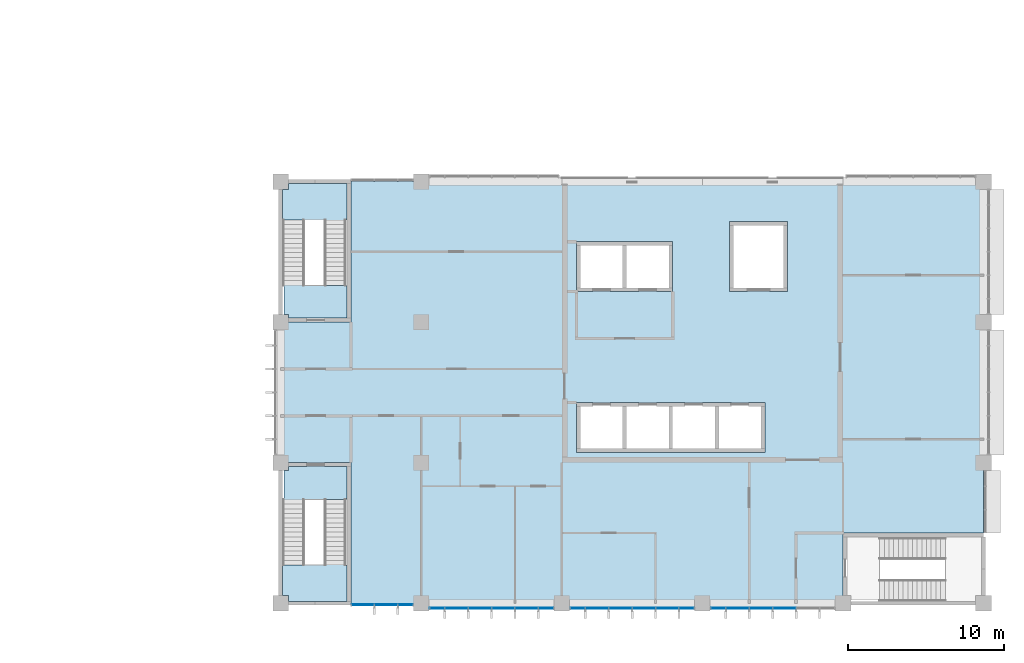
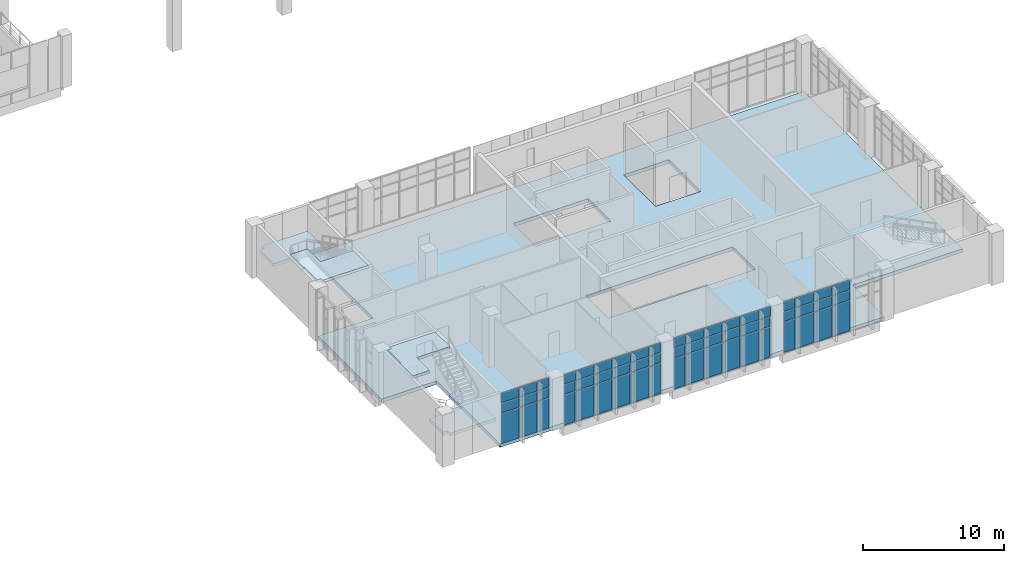
# One storey, part 51 of 88: 57 plates, 5 slabs, 6 elements without a shape of their own.
"""IFC4 building model written with IfcOpenShell, lengths in metres."""

from ifc_helpers import new_model, si_unit, direction, frame, origin, origin_2d, place, context, subcontext, project, spatial, polyline, rectangle, outline, extrude, material, layer, layer_set, type_object, element, aggregate, save


model = new_model("IFC4")

# Units and contexts
model_context = context("Model", 3, precision=1e-05, world=origin(), true_north=direction((0.0, 1.0)))
body_context = subcontext(model_context, "Body", "Model", "MODEL_VIEW")
ifc_project = project(units=[si_unit("LENGTHUNIT", "METRE"), si_unit("AREAUNIT", "SQUARE_METRE"), si_unit("VOLUMEUNIT", "CUBIC_METRE"), si_unit("PLANEANGLEUNIT", "RADIAN"), si_unit("MASSUNIT", "GRAM", prefix="KILO")], contexts=[model_context])

# Site, building, storey
site_placement = place(None, origin())
site = spatial("IfcSite", under=ifc_project, at=site_placement, CompositionType="ELEMENT")
building_placement = place(site_placement, origin())
building = spatial("IfcBuilding", under=site, at=building_placement, Name="Guidao Yard Department Store", CompositionType="ELEMENT")
storey_placement = place(building_placement, frame((0.0, 0.0, 6.0)))
storey = spatial("IfcBuildingStorey", under=building, at=storey_placement, Name="L01", CompositionType="ELEMENT", Elevation=6.0)

# Slab
ifc_material_1 = material(Name="Concrete C35", Category="concrete")
ifc_layer_1 = layer(ifc_material_1, 0.300048828125)
ifc_layer_set_1 = layer_set([ifc_layer_1], Name="Flat slab 300 C35")
slab_type_1 = type_object("IfcSlabType", Name="Flat slab 300 C35", PredefinedType="FLOOR", material=ifc_layer_set_1)
slab_1_placement = place(storey_placement, frame((0.0, 0.0, -0.300048828125)))
element("IfcSlab", 1, at=slab_1_placement, inside=storey, type_object=slab_type_1, Name="Slab L01-O", PredefinedType="FLOOR", context=body_context, shape_type="SweptSolid", body=[
    extrude(outline(polyline([(171.0, 4.5), (162.0, 4.5), (162.0, 0.0), (130.5, 0.0), (130.5, 9.0), (126.0, 9.0), (126.0, 18.0), (130.5, 18.0), (130.5, 27.0), (171.0, 27.0), (171.0, 4.5)]), holes=[polyline([(147.89990234375, 9.64990234375), (148.14990234375, 9.64990234375), (150.85009765625, 9.64990234375), (151.10009765625, 9.64990234375), (153.800048828125, 9.64990234375), (154.050048828125, 9.64990234375), (157.0, 9.64990234375), (157.0, 12.85009765625), (154.050048828125, 12.85009765625), (153.800048828125, 12.85009765625), (151.10009765625, 12.85009765625), (150.85009765625, 12.85009765625), (148.14990234375, 12.85009765625), (147.89990234375, 12.85009765625), (144.949951171875, 12.85009765625), (144.949951171875, 9.64990234375), (147.89990234375, 9.64990234375)]), polyline([(144.949951171875, 19.949951171875), (147.89990234375, 19.949951171875), (148.14990234375, 19.949951171875), (151.10009765625, 19.949951171875), (151.10009765625, 23.14990234375), (148.14990234375, 23.14990234375), (147.89990234375, 23.14990234375), (144.949951171875, 23.14990234375), (144.949951171875, 19.949951171875)]), polyline([(154.75, 19.949951171875), (158.449951171875, 19.949951171875), (158.449951171875, 24.449951171875), (154.75, 24.449951171875), (154.75, 19.949951171875)])]), origin(), (0.0, 0.0, 1.0), 0.300048828125),
])

# Curtain wall, plates
ifc_material_2 = material(Name="Aluminium and glass", Category="aluminium")
ifc_layer_2 = layer(ifc_material_2, 0.159912109375)
ifc_layer_set_2 = layer_set([ifc_layer_2], Name="Unitised curtain wall CW4 1500 module")
curtain_wall_type = type_object("IfcCurtainWallType", Name="Unitised curtain wall CW4 1500 module", PredefinedType="NOTDEFINED", material=ifc_layer_set_2)
curtain_wall_1_placement = place(storey_placement, origin())
curtain_wall_1 = element("IfcCurtainWall", 2, at=curtain_wall_1_placement, inside=storey, type_object=curtain_wall_type, Name="Unitised curtain wall", PredefinedType="NOTDEFINED")
ifc_material_3 = material(Name="Aluminium 6063-T5 faced insulated spandrel", Category="aluminium")
ifc_layer_3 = layer(ifc_material_3, 0.06005859375)
ifc_layer_set_3 = layer_set([ifc_layer_3], Name="Spandrel panel SP1 insulated opaque")
plate_type_1 = type_object("IfcPlateType", Name="Spandrel panel SP1 insulated opaque", PredefinedType="CURTAIN_PANEL", material=ifc_layer_set_3)
plate_1_placement = place(storey_placement, frame((131.264892578125, -0.10009765625, 3.6298828125), z_axis=(0.0, 0.0, 1.0), x_axis=(-1.0, 0.0, 0.0)))
plate_1 = element("IfcPlate", 3, at=plate_1_placement, type_object=plate_type_1, Name="CW-OW-L01-01 panel 1.3", PredefinedType="CURTAIN_PANEL", context=body_context, shape_type="SweptSolid", body=[
    extrude(rectangle(XDim=1.409912109375, YDim=0.06005859375, at=origin_2d()), origin(), (0.0, 0.0, 1.0), 0.81005859375),
])
plate_2_placement = place(storey_placement, frame((132.75, -0.10009765625, 3.6298828125), z_axis=(0.0, 0.0, 1.0), x_axis=(-1.0, 0.0, 0.0)))
plate_2 = element("IfcPlate", 4, at=plate_2_placement, type_object=plate_type_1, Name="CW-OW-L01-01 panel 2.3", PredefinedType="CURTAIN_PANEL", context=body_context, shape_type="SweptSolid", body=[
    extrude(rectangle(XDim=1.43994140625, YDim=0.06005859375, at=origin_2d()), origin(), (0.0, 0.0, 1.0), 0.81005859375),
])
plate_3_placement = place(storey_placement, frame((133.985107421875, -0.10009765625, 3.6298828125), z_axis=(0.0, 0.0, 1.0), x_axis=(-1.0, 0.0, 0.0)))
plate_3 = element("IfcPlate", 5, at=plate_3_placement, type_object=plate_type_1, Name="CW-OW-L01-01 panel 3.3", PredefinedType="CURTAIN_PANEL", context=body_context, shape_type="SweptSolid", body=[
    extrude(rectangle(XDim=0.909912109375, YDim=0.06005859375, at=origin_2d()), origin(), (0.0, 0.0, 1.0), 0.81005859375),
])

curtain_wall_2_placement = place(storey_placement, origin())
curtain_wall_2 = element("IfcCurtainWall", 6, at=curtain_wall_2_placement, inside=storey, type_object=curtain_wall_type, Name="Unitised curtain wall", PredefinedType="NOTDEFINED")
plate_4_placement = place(storey_placement, frame((136.014892578125, -0.330078125, 3.6298828125), z_axis=(0.0, 0.0, 1.0), x_axis=(-1.0, 0.0, 0.0)))
plate_4 = element("IfcPlate", 7, at=plate_4_placement, type_object=plate_type_1, Name="CW-OW-L01-02 panel 1.3", PredefinedType="CURTAIN_PANEL", context=body_context, shape_type="SweptSolid", body=[
    extrude(rectangle(XDim=0.909912109375, YDim=0.06005859375, at=origin_2d()), origin(), (0.0, 0.0, 1.0), 0.81005859375),
])
plate_5_placement = place(storey_placement, frame((137.25, -0.330078125, 3.6298828125), z_axis=(0.0, 0.0, 1.0), x_axis=(-1.0, 0.0, 0.0)))
plate_5 = element("IfcPlate", 8, at=plate_5_placement, type_object=plate_type_1, Name="CW-OW-L01-02 panel 2.3", PredefinedType="CURTAIN_PANEL", context=body_context, shape_type="SweptSolid", body=[
    extrude(rectangle(XDim=1.43994140625, YDim=0.06005859375, at=origin_2d()), origin(), (0.0, 0.0, 1.0), 0.81005859375),
])
plate_6_placement = place(storey_placement, frame((138.75, -0.330078125, 3.6298828125), z_axis=(0.0, 0.0, 1.0), x_axis=(-1.0, 0.0, 0.0)))
plate_6 = element("IfcPlate", 9, at=plate_6_placement, type_object=plate_type_1, Name="CW-OW-L01-02 panel 3.3", PredefinedType="CURTAIN_PANEL", context=body_context, shape_type="SweptSolid", body=[
    extrude(rectangle(XDim=1.43994140625, YDim=0.06005859375, at=origin_2d()), origin(), (0.0, 0.0, 1.0), 0.81005859375),
])
plate_7_placement = place(storey_placement, frame((140.25, -0.330078125, 3.6298828125), z_axis=(0.0, 0.0, 1.0), x_axis=(-1.0, 0.0, 0.0)))
plate_7 = element("IfcPlate", 10, at=plate_7_placement, type_object=plate_type_1, Name="CW-OW-L01-02 panel 4.3", PredefinedType="CURTAIN_PANEL", context=body_context, shape_type="SweptSolid", body=[
    extrude(rectangle(XDim=1.43994140625, YDim=0.06005859375, at=origin_2d()), origin(), (0.0, 0.0, 1.0), 0.81005859375),
])
plate_8_placement = place(storey_placement, frame((141.75, -0.330078125, 3.6298828125), z_axis=(0.0, 0.0, 1.0), x_axis=(-1.0, 0.0, 0.0)))
plate_8 = element("IfcPlate", 11, at=plate_8_placement, type_object=plate_type_1, Name="CW-OW-L01-02 panel 5.3", PredefinedType="CURTAIN_PANEL", context=body_context, shape_type="SweptSolid", body=[
    extrude(rectangle(XDim=1.43994140625, YDim=0.06005859375, at=origin_2d()), origin(), (0.0, 0.0, 1.0), 0.81005859375),
])
plate_9_placement = place(storey_placement, frame((142.985107421875, -0.330078125, 3.6298828125), z_axis=(0.0, 0.0, 1.0), x_axis=(-1.0, 0.0, 0.0)))
plate_9 = element("IfcPlate", 12, at=plate_9_placement, type_object=plate_type_1, Name="CW-OW-L01-02 panel 6.3", PredefinedType="CURTAIN_PANEL", context=body_context, shape_type="SweptSolid", body=[
    extrude(rectangle(XDim=0.909912109375, YDim=0.06005859375, at=origin_2d()), origin(), (0.0, 0.0, 1.0), 0.81005859375),
])

curtain_wall_3_placement = place(storey_placement, origin())
curtain_wall_3 = element("IfcCurtainWall", 13, at=curtain_wall_3_placement, inside=storey, type_object=curtain_wall_type, Name="Unitised curtain wall", PredefinedType="NOTDEFINED")
plate_10_placement = place(storey_placement, frame((145.014892578125, -0.330078125, 3.6298828125), z_axis=(0.0, 0.0, 1.0), x_axis=(-1.0, 0.0, 0.0)))
plate_10 = element("IfcPlate", 14, at=plate_10_placement, type_object=plate_type_1, Name="CW-OW-L01-03 panel 1.3", PredefinedType="CURTAIN_PANEL", context=body_context, shape_type="SweptSolid", body=[
    extrude(rectangle(XDim=0.909912109375, YDim=0.06005859375, at=origin_2d()), origin(), (0.0, 0.0, 1.0), 0.81005859375),
])
plate_11_placement = place(storey_placement, frame((146.25, -0.330078125, 3.6298828125), z_axis=(0.0, 0.0, 1.0), x_axis=(-1.0, 0.0, 0.0)))
plate_11 = element("IfcPlate", 15, at=plate_11_placement, type_object=plate_type_1, Name="CW-OW-L01-03 panel 2.3", PredefinedType="CURTAIN_PANEL", context=body_context, shape_type="SweptSolid", body=[
    extrude(rectangle(XDim=1.43994140625, YDim=0.06005859375, at=origin_2d()), origin(), (0.0, 0.0, 1.0), 0.81005859375),
])
plate_12_placement = place(storey_placement, frame((147.75, -0.330078125, 3.6298828125), z_axis=(0.0, 0.0, 1.0), x_axis=(-1.0, 0.0, 0.0)))
plate_12 = element("IfcPlate", 16, at=plate_12_placement, type_object=plate_type_1, Name="CW-OW-L01-03 panel 3.3", PredefinedType="CURTAIN_PANEL", context=body_context, shape_type="SweptSolid", body=[
    extrude(rectangle(XDim=1.43994140625, YDim=0.06005859375, at=origin_2d()), origin(), (0.0, 0.0, 1.0), 0.81005859375),
])
plate_13_placement = place(storey_placement, frame((149.25, -0.330078125, 3.6298828125), z_axis=(0.0, 0.0, 1.0), x_axis=(-1.0, 0.0, 0.0)))
plate_13 = element("IfcPlate", 17, at=plate_13_placement, type_object=plate_type_1, Name="CW-OW-L01-03 panel 4.3", PredefinedType="CURTAIN_PANEL", context=body_context, shape_type="SweptSolid", body=[
    extrude(rectangle(XDim=1.43994140625, YDim=0.06005859375, at=origin_2d()), origin(), (0.0, 0.0, 1.0), 0.81005859375),
])
plate_14_placement = place(storey_placement, frame((150.75, -0.330078125, 3.6298828125), z_axis=(0.0, 0.0, 1.0), x_axis=(-1.0, 0.0, 0.0)))
plate_14 = element("IfcPlate", 18, at=plate_14_placement, type_object=plate_type_1, Name="CW-OW-L01-03 panel 5.3", PredefinedType="CURTAIN_PANEL", context=body_context, shape_type="SweptSolid", body=[
    extrude(rectangle(XDim=1.43994140625, YDim=0.06005859375, at=origin_2d()), origin(), (0.0, 0.0, 1.0), 0.81005859375),
])
plate_15_placement = place(storey_placement, frame((151.985107421875, -0.330078125, 3.6298828125), z_axis=(0.0, 0.0, 1.0), x_axis=(-1.0, 0.0, 0.0)))
plate_15 = element("IfcPlate", 19, at=plate_15_placement, type_object=plate_type_1, Name="CW-OW-L01-03 panel 6.3", PredefinedType="CURTAIN_PANEL", context=body_context, shape_type="SweptSolid", body=[
    extrude(rectangle(XDim=0.909912109375, YDim=0.06005859375, at=origin_2d()), origin(), (0.0, 0.0, 1.0), 0.81005859375),
])

curtain_wall_4_placement = place(storey_placement, origin())
curtain_wall_4 = element("IfcCurtainWall", 20, at=curtain_wall_4_placement, inside=storey, type_object=curtain_wall_type, Name="Unitised curtain wall", PredefinedType="NOTDEFINED")
plate_16_placement = place(storey_placement, frame((154.014892578125, -0.330078125, 3.6298828125), z_axis=(0.0, 0.0, 1.0), x_axis=(-1.0, 0.0, 0.0)))
plate_16 = element("IfcPlate", 21, at=plate_16_placement, type_object=plate_type_1, Name="CW-OW-L01-04 panel 1.3", PredefinedType="CURTAIN_PANEL", context=body_context, shape_type="SweptSolid", body=[
    extrude(rectangle(XDim=0.909912109375, YDim=0.06005859375, at=origin_2d()), origin(), (0.0, 0.0, 1.0), 0.81005859375),
])
plate_17_placement = place(storey_placement, frame((155.25, -0.330078125, 3.6298828125), z_axis=(0.0, 0.0, 1.0), x_axis=(-1.0, 0.0, 0.0)))
plate_17 = element("IfcPlate", 22, at=plate_17_placement, type_object=plate_type_1, Name="CW-OW-L01-04 panel 2.3", PredefinedType="CURTAIN_PANEL", context=body_context, shape_type="SweptSolid", body=[
    extrude(rectangle(XDim=1.43994140625, YDim=0.06005859375, at=origin_2d()), origin(), (0.0, 0.0, 1.0), 0.81005859375),
])
plate_18_placement = place(storey_placement, frame((156.75, -0.330078125, 3.6298828125), z_axis=(0.0, 0.0, 1.0), x_axis=(-1.0, 0.0, 0.0)))
plate_18 = element("IfcPlate", 23, at=plate_18_placement, type_object=plate_type_1, Name="CW-OW-L01-04 panel 3.3", PredefinedType="CURTAIN_PANEL", context=body_context, shape_type="SweptSolid", body=[
    extrude(rectangle(XDim=1.43994140625, YDim=0.06005859375, at=origin_2d()), origin(), (0.0, 0.0, 1.0), 0.81005859375),
])
plate_19_placement = place(storey_placement, frame((158.25, -0.330078125, 3.6298828125), z_axis=(0.0, 0.0, 1.0), x_axis=(-1.0, 0.0, 0.0)))
plate_19 = element("IfcPlate", 24, at=plate_19_placement, type_object=plate_type_1, Name="CW-OW-L01-04 panel 4.3", PredefinedType="CURTAIN_PANEL", context=body_context, shape_type="SweptSolid", body=[
    extrude(rectangle(XDim=1.43994140625, YDim=0.06005859375, at=origin_2d()), origin(), (0.0, 0.0, 1.0), 0.81005859375),
])

# Stair, slabs
ifc_material_4 = material(Name="Concrete C35", Category="concrete")
stair_type = type_object("IfcStairType", Name="Stair half-turn two-flight 1400 wide 4.5 m rise", PredefinedType="HALF_TURN_STAIR", material=ifc_material_4)
stair_1_placement = place(storey_placement, origin())
stair_1 = element("IfcStair", 25, at=stair_1_placement, inside=storey, type_object=stair_type, Name="Stair O1 L01 to L02", PredefinedType="HALF_TURN_STAIR")
ifc_material_5 = material(Name="Concrete C35", Category="concrete")
ifc_layer_4 = layer(ifc_material_5, 0.25)
ifc_layer_set_4 = layer_set([ifc_layer_4], Name="Stair landing RC 250 C35")
slab_type_2 = type_object("IfcSlabType", Name="Stair landing RC 250 C35", PredefinedType="LANDING", material=ifc_layer_set_4)
slab_2_placement = place(storey_placement, frame((0.0, 0.0, 2.0)))
slab_2 = element("IfcSlab", 26, at=slab_2_placement, type_object=slab_type_2, Name="SO1-L01 landing 1", PredefinedType="LANDING", context=body_context, shape_type="SweptSolid", body=[
    extrude(outline(polyline([(126.5, 0.125), (126.5, 0.5), (126.125, 0.5), (126.125, 2.449951171875), (126.125, 2.4599609375), (127.52490234375, 2.4599609375), (127.52490234375, 2.449951171875), (128.800048828125, 2.449951171875), (128.800048828125, 4.280029296875), (130.199951171875, 4.280029296875), (130.199951171875, 2.449951171875), (130.25, 2.449951171875), (130.25, 0.125), (126.5, 0.125)])), origin(), (0.0, 0.0, 1.0), 0.25),
])
slab_3_placement = place(storey_placement, frame((0.0, 0.0, 4.25)))
slab_3 = element("IfcSlab", 27, at=slab_3_placement, type_object=slab_type_2, Name="SO1-L01 landing 2", PredefinedType="LANDING", context=body_context, shape_type="SweptSolid", body=[
    extrude(outline(polyline([(126.125, 6.64990234375), (126.199951171875, 6.64990234375), (126.199951171875, 8.5), (126.5, 8.5), (126.5, 8.75), (128.800048828125, 8.75), (130.25, 8.75), (130.25, 6.639892578125), (128.800048828125, 6.639892578125), (128.800048828125, 6.64990234375), (127.52490234375, 6.64990234375), (127.52490234375, 4.820068359375), (126.125, 4.820068359375), (126.125, 6.64990234375)])), origin(), (0.0, 0.0, 1.0), 0.25),
])
aggregate(stair_1, [slab_2, slab_3])

stair_2_placement = place(storey_placement, origin())
stair_2 = element("IfcStair", 28, at=stair_2_placement, inside=storey, type_object=stair_type, Name="Stair O3 L01 to L02", PredefinedType="HALF_TURN_STAIR")
slab_4_placement = place(storey_placement, frame((0.0, 0.0, 2.0)))
slab_4 = element("IfcSlab", 29, at=slab_4_placement, type_object=slab_type_2, Name="SO3-L01 landing 1", PredefinedType="LANDING", context=body_context, shape_type="SweptSolid", body=[
    extrude(outline(polyline([(128.800048828125, 24.550048828125), (127.52490234375, 24.550048828125), (127.52490234375, 24.5400390625), (126.125, 24.5400390625), (126.125, 24.550048828125), (126.125, 26.5), (126.5, 26.5), (126.5, 26.875), (130.25, 26.875), (130.25, 24.550048828125), (130.199951171875, 24.550048828125), (130.199951171875, 22.719970703125), (128.800048828125, 22.719970703125), (128.800048828125, 24.550048828125)])), origin(), (0.0, 0.0, 1.0), 0.25),
])
slab_5_placement = place(storey_placement, frame((0.0, 0.0, 4.25)))
slab_5 = element("IfcSlab", 30, at=slab_5_placement, type_object=slab_type_2, Name="SO3-L01 landing 2", PredefinedType="LANDING", context=body_context, shape_type="SweptSolid", body=[
    extrude(outline(polyline([(130.25, 20.360107421875), (130.25, 18.25), (128.800048828125, 18.25), (126.5, 18.25), (126.5, 18.5), (126.199951171875, 18.5), (126.199951171875, 20.35009765625), (126.125, 20.35009765625), (126.125, 22.179931640625), (127.52490234375, 22.179931640625), (127.52490234375, 20.35009765625), (128.800048828125, 20.35009765625), (128.800048828125, 20.360107421875), (130.25, 20.360107421875)])), origin(), (0.0, 0.0, 1.0), 0.25),
])
aggregate(stair_2, [slab_4, slab_5])

# Plate
ifc_material_6 = material(Name="Laminated heat-soaked tempered glass", Category="glass")
ifc_layer_5 = layer(ifc_material_6, 0.017578125)
ifc_layer_set_5 = layer_set([ifc_layer_5], Name="Vision glass VG1 laminated heat-soaked tempered 8+8")
plate_type_2 = type_object("IfcPlateType", Name="Vision glass VG1 laminated heat-soaked tempered 8+8", PredefinedType="CURTAIN_PANEL", material=ifc_layer_set_5)
plate_20_placement = place(storey_placement, frame((131.264892578125, -0.10009765625, 0.06005859375), z_axis=(0.0, 0.0, 1.0), x_axis=(-1.0, 0.0, 0.0)))
plate_20 = element("IfcPlate", 31, at=plate_20_placement, type_object=plate_type_2, Name="CW-OW-L01-01 panel 1.1", PredefinedType="CURTAIN_PANEL", context=body_context, shape_type="SweptSolid", body=[
    extrude(rectangle(XDim=1.409912109375, YDim=0.017578125, at=origin_2d()), origin(), (0.0, 0.0, 1.0), 2.610107421875),
])

plate_21_placement = place(storey_placement, frame((131.264892578125, -0.10009765625, 2.72998046875), z_axis=(0.0, 0.0, 1.0), x_axis=(-1.0, 0.0, 0.0)))
plate_21 = element("IfcPlate", 32, at=plate_21_placement, type_object=plate_type_2, Name="CW-OW-L01-01 panel 1.2", PredefinedType="CURTAIN_PANEL", context=body_context, shape_type="SweptSolid", body=[
    extrude(rectangle(XDim=1.409912109375, YDim=0.017578125, at=origin_2d()), origin(), (0.0, 0.0, 1.0), 0.840087890625),
])

plate_22_placement = place(storey_placement, frame((132.75, -0.10009765625, 0.06005859375), z_axis=(0.0, 0.0, 1.0), x_axis=(-1.0, 0.0, 0.0)))
plate_22 = element("IfcPlate", 33, at=plate_22_placement, type_object=plate_type_2, Name="CW-OW-L01-01 panel 2.1", PredefinedType="CURTAIN_PANEL", context=body_context, shape_type="SweptSolid", body=[
    extrude(rectangle(XDim=1.43994140625, YDim=0.017578125, at=origin_2d()), origin(), (0.0, 0.0, 1.0), 2.610107421875),
])

plate_23_placement = place(storey_placement, frame((132.75, -0.10009765625, 2.72998046875), z_axis=(0.0, 0.0, 1.0), x_axis=(-1.0, 0.0, 0.0)))
plate_23 = element("IfcPlate", 34, at=plate_23_placement, type_object=plate_type_2, Name="CW-OW-L01-01 panel 2.2", PredefinedType="CURTAIN_PANEL", context=body_context, shape_type="SweptSolid", body=[
    extrude(rectangle(XDim=1.43994140625, YDim=0.017578125, at=origin_2d()), origin(), (0.0, 0.0, 1.0), 0.840087890625),
])

plate_24_placement = place(storey_placement, frame((133.985107421875, -0.10009765625, 0.06005859375), z_axis=(0.0, 0.0, 1.0), x_axis=(-1.0, 0.0, 0.0)))
plate_24 = element("IfcPlate", 35, at=plate_24_placement, type_object=plate_type_2, Name="CW-OW-L01-01 panel 3.1", PredefinedType="CURTAIN_PANEL", context=body_context, shape_type="SweptSolid", body=[
    extrude(rectangle(XDim=0.909912109375, YDim=0.017578125, at=origin_2d()), origin(), (0.0, 0.0, 1.0), 2.610107421875),
])

plate_25_placement = place(storey_placement, frame((133.985107421875, -0.10009765625, 2.72998046875), z_axis=(0.0, 0.0, 1.0), x_axis=(-1.0, 0.0, 0.0)))
plate_25 = element("IfcPlate", 36, at=plate_25_placement, type_object=plate_type_2, Name="CW-OW-L01-01 panel 3.2", PredefinedType="CURTAIN_PANEL", context=body_context, shape_type="SweptSolid", body=[
    extrude(rectangle(XDim=0.909912109375, YDim=0.017578125, at=origin_2d()), origin(), (0.0, 0.0, 1.0), 0.840087890625),
])

aggregate(curtain_wall_1, [plate_20, plate_21, plate_1, plate_22, plate_23, plate_2, plate_24, plate_25, plate_3])

plate_26_placement = place(storey_placement, frame((136.014892578125, -0.330078125, 0.06005859375), z_axis=(0.0, 0.0, 1.0), x_axis=(-1.0, 0.0, 0.0)))
plate_26 = element("IfcPlate", 37, at=plate_26_placement, type_object=plate_type_2, Name="CW-OW-L01-02 panel 1.1", PredefinedType="CURTAIN_PANEL", context=body_context, shape_type="SweptSolid", body=[
    extrude(rectangle(XDim=0.909912109375, YDim=0.017578125, at=origin_2d()), origin(), (0.0, 0.0, 1.0), 2.610107421875),
])

plate_27_placement = place(storey_placement, frame((136.014892578125, -0.330078125, 2.72998046875), z_axis=(0.0, 0.0, 1.0), x_axis=(-1.0, 0.0, 0.0)))
plate_27 = element("IfcPlate", 38, at=plate_27_placement, type_object=plate_type_2, Name="CW-OW-L01-02 panel 1.2", PredefinedType="CURTAIN_PANEL", context=body_context, shape_type="SweptSolid", body=[
    extrude(rectangle(XDim=0.909912109375, YDim=0.017578125, at=origin_2d()), origin(), (0.0, 0.0, 1.0), 0.840087890625),
])

plate_28_placement = place(storey_placement, frame((137.25, -0.330078125, 0.06005859375), z_axis=(0.0, 0.0, 1.0), x_axis=(-1.0, 0.0, 0.0)))
plate_28 = element("IfcPlate", 39, at=plate_28_placement, type_object=plate_type_2, Name="CW-OW-L01-02 panel 2.1", PredefinedType="CURTAIN_PANEL", context=body_context, shape_type="SweptSolid", body=[
    extrude(rectangle(XDim=1.43994140625, YDim=0.017578125, at=origin_2d()), origin(), (0.0, 0.0, 1.0), 2.610107421875),
])

plate_29_placement = place(storey_placement, frame((137.25, -0.330078125, 2.72998046875), z_axis=(0.0, 0.0, 1.0), x_axis=(-1.0, 0.0, 0.0)))
plate_29 = element("IfcPlate", 40, at=plate_29_placement, type_object=plate_type_2, Name="CW-OW-L01-02 panel 2.2", PredefinedType="CURTAIN_PANEL", context=body_context, shape_type="SweptSolid", body=[
    extrude(rectangle(XDim=1.43994140625, YDim=0.017578125, at=origin_2d()), origin(), (0.0, 0.0, 1.0), 0.840087890625),
])

plate_30_placement = place(storey_placement, frame((138.75, -0.330078125, 0.06005859375), z_axis=(0.0, 0.0, 1.0), x_axis=(-1.0, 0.0, 0.0)))
plate_30 = element("IfcPlate", 41, at=plate_30_placement, type_object=plate_type_2, Name="CW-OW-L01-02 panel 3.1", PredefinedType="CURTAIN_PANEL", context=body_context, shape_type="SweptSolid", body=[
    extrude(rectangle(XDim=1.43994140625, YDim=0.017578125, at=origin_2d()), origin(), (0.0, 0.0, 1.0), 2.610107421875),
])

plate_31_placement = place(storey_placement, frame((138.75, -0.330078125, 2.72998046875), z_axis=(0.0, 0.0, 1.0), x_axis=(-1.0, 0.0, 0.0)))
plate_31 = element("IfcPlate", 42, at=plate_31_placement, type_object=plate_type_2, Name="CW-OW-L01-02 panel 3.2", PredefinedType="CURTAIN_PANEL", context=body_context, shape_type="SweptSolid", body=[
    extrude(rectangle(XDim=1.43994140625, YDim=0.017578125, at=origin_2d()), origin(), (0.0, 0.0, 1.0), 0.840087890625),
])

plate_32_placement = place(storey_placement, frame((140.25, -0.330078125, 0.06005859375), z_axis=(0.0, 0.0, 1.0), x_axis=(-1.0, 0.0, 0.0)))
plate_32 = element("IfcPlate", 43, at=plate_32_placement, type_object=plate_type_2, Name="CW-OW-L01-02 panel 4.1", PredefinedType="CURTAIN_PANEL", context=body_context, shape_type="SweptSolid", body=[
    extrude(rectangle(XDim=1.43994140625, YDim=0.017578125, at=origin_2d()), origin(), (0.0, 0.0, 1.0), 2.610107421875),
])

plate_33_placement = place(storey_placement, frame((140.25, -0.330078125, 2.72998046875), z_axis=(0.0, 0.0, 1.0), x_axis=(-1.0, 0.0, 0.0)))
plate_33 = element("IfcPlate", 44, at=plate_33_placement, type_object=plate_type_2, Name="CW-OW-L01-02 panel 4.2", PredefinedType="CURTAIN_PANEL", context=body_context, shape_type="SweptSolid", body=[
    extrude(rectangle(XDim=1.43994140625, YDim=0.017578125, at=origin_2d()), origin(), (0.0, 0.0, 1.0), 0.840087890625),
])

plate_34_placement = place(storey_placement, frame((141.75, -0.330078125, 0.06005859375), z_axis=(0.0, 0.0, 1.0), x_axis=(-1.0, 0.0, 0.0)))
plate_34 = element("IfcPlate", 45, at=plate_34_placement, type_object=plate_type_2, Name="CW-OW-L01-02 panel 5.1", PredefinedType="CURTAIN_PANEL", context=body_context, shape_type="SweptSolid", body=[
    extrude(rectangle(XDim=1.43994140625, YDim=0.017578125, at=origin_2d()), origin(), (0.0, 0.0, 1.0), 2.610107421875),
])

plate_35_placement = place(storey_placement, frame((141.75, -0.330078125, 2.72998046875), z_axis=(0.0, 0.0, 1.0), x_axis=(-1.0, 0.0, 0.0)))
plate_35 = element("IfcPlate", 46, at=plate_35_placement, type_object=plate_type_2, Name="CW-OW-L01-02 panel 5.2", PredefinedType="CURTAIN_PANEL", context=body_context, shape_type="SweptSolid", body=[
    extrude(rectangle(XDim=1.43994140625, YDim=0.017578125, at=origin_2d()), origin(), (0.0, 0.0, 1.0), 0.840087890625),
])

plate_36_placement = place(storey_placement, frame((142.985107421875, -0.330078125, 0.06005859375), z_axis=(0.0, 0.0, 1.0), x_axis=(-1.0, 0.0, 0.0)))
plate_36 = element("IfcPlate", 47, at=plate_36_placement, type_object=plate_type_2, Name="CW-OW-L01-02 panel 6.1", PredefinedType="CURTAIN_PANEL", context=body_context, shape_type="SweptSolid", body=[
    extrude(rectangle(XDim=0.909912109375, YDim=0.017578125, at=origin_2d()), origin(), (0.0, 0.0, 1.0), 2.610107421875),
])

plate_37_placement = place(storey_placement, frame((142.985107421875, -0.330078125, 2.72998046875), z_axis=(0.0, 0.0, 1.0), x_axis=(-1.0, 0.0, 0.0)))
plate_37 = element("IfcPlate", 48, at=plate_37_placement, type_object=plate_type_2, Name="CW-OW-L01-02 panel 6.2", PredefinedType="CURTAIN_PANEL", context=body_context, shape_type="SweptSolid", body=[
    extrude(rectangle(XDim=0.909912109375, YDim=0.017578125, at=origin_2d()), origin(), (0.0, 0.0, 1.0), 0.840087890625),
])

aggregate(curtain_wall_2, [plate_26, plate_27, plate_4, plate_28, plate_29, plate_5, plate_30, plate_31, plate_6, plate_32, plate_33, plate_7, plate_34, plate_35, plate_8, plate_36, plate_37, plate_9])

plate_38_placement = place(storey_placement, frame((145.014892578125, -0.330078125, 0.06005859375), z_axis=(0.0, 0.0, 1.0), x_axis=(-1.0, 0.0, 0.0)))
plate_38 = element("IfcPlate", 49, at=plate_38_placement, type_object=plate_type_2, Name="CW-OW-L01-03 panel 1.1", PredefinedType="CURTAIN_PANEL", context=body_context, shape_type="SweptSolid", body=[
    extrude(rectangle(XDim=0.909912109375, YDim=0.017578125, at=origin_2d()), origin(), (0.0, 0.0, 1.0), 2.610107421875),
])

plate_39_placement = place(storey_placement, frame((145.014892578125, -0.330078125, 2.72998046875), z_axis=(0.0, 0.0, 1.0), x_axis=(-1.0, 0.0, 0.0)))
plate_39 = element("IfcPlate", 50, at=plate_39_placement, type_object=plate_type_2, Name="CW-OW-L01-03 panel 1.2", PredefinedType="CURTAIN_PANEL", context=body_context, shape_type="SweptSolid", body=[
    extrude(rectangle(XDim=0.909912109375, YDim=0.017578125, at=origin_2d()), origin(), (0.0, 0.0, 1.0), 0.840087890625),
])

plate_40_placement = place(storey_placement, frame((146.25, -0.330078125, 0.06005859375), z_axis=(0.0, 0.0, 1.0), x_axis=(-1.0, 0.0, 0.0)))
plate_40 = element("IfcPlate", 51, at=plate_40_placement, type_object=plate_type_2, Name="CW-OW-L01-03 panel 2.1", PredefinedType="CURTAIN_PANEL", context=body_context, shape_type="SweptSolid", body=[
    extrude(rectangle(XDim=1.43994140625, YDim=0.017578125, at=origin_2d()), origin(), (0.0, 0.0, 1.0), 2.610107421875),
])

plate_41_placement = place(storey_placement, frame((146.25, -0.330078125, 2.72998046875), z_axis=(0.0, 0.0, 1.0), x_axis=(-1.0, 0.0, 0.0)))
plate_41 = element("IfcPlate", 52, at=plate_41_placement, type_object=plate_type_2, Name="CW-OW-L01-03 panel 2.2", PredefinedType="CURTAIN_PANEL", context=body_context, shape_type="SweptSolid", body=[
    extrude(rectangle(XDim=1.43994140625, YDim=0.017578125, at=origin_2d()), origin(), (0.0, 0.0, 1.0), 0.840087890625),
])

plate_42_placement = place(storey_placement, frame((147.75, -0.330078125, 0.06005859375), z_axis=(0.0, 0.0, 1.0), x_axis=(-1.0, 0.0, 0.0)))
plate_42 = element("IfcPlate", 53, at=plate_42_placement, type_object=plate_type_2, Name="CW-OW-L01-03 panel 3.1", PredefinedType="CURTAIN_PANEL", context=body_context, shape_type="SweptSolid", body=[
    extrude(rectangle(XDim=1.43994140625, YDim=0.017578125, at=origin_2d()), origin(), (0.0, 0.0, 1.0), 2.610107421875),
])

plate_43_placement = place(storey_placement, frame((147.75, -0.330078125, 2.72998046875), z_axis=(0.0, 0.0, 1.0), x_axis=(-1.0, 0.0, 0.0)))
plate_43 = element("IfcPlate", 54, at=plate_43_placement, type_object=plate_type_2, Name="CW-OW-L01-03 panel 3.2", PredefinedType="CURTAIN_PANEL", context=body_context, shape_type="SweptSolid", body=[
    extrude(rectangle(XDim=1.43994140625, YDim=0.017578125, at=origin_2d()), origin(), (0.0, 0.0, 1.0), 0.840087890625),
])

plate_44_placement = place(storey_placement, frame((149.25, -0.330078125, 0.06005859375), z_axis=(0.0, 0.0, 1.0), x_axis=(-1.0, 0.0, 0.0)))
plate_44 = element("IfcPlate", 55, at=plate_44_placement, type_object=plate_type_2, Name="CW-OW-L01-03 panel 4.1", PredefinedType="CURTAIN_PANEL", context=body_context, shape_type="SweptSolid", body=[
    extrude(rectangle(XDim=1.43994140625, YDim=0.017578125, at=origin_2d()), origin(), (0.0, 0.0, 1.0), 2.610107421875),
])

plate_45_placement = place(storey_placement, frame((149.25, -0.330078125, 2.72998046875), z_axis=(0.0, 0.0, 1.0), x_axis=(-1.0, 0.0, 0.0)))
plate_45 = element("IfcPlate", 56, at=plate_45_placement, type_object=plate_type_2, Name="CW-OW-L01-03 panel 4.2", PredefinedType="CURTAIN_PANEL", context=body_context, shape_type="SweptSolid", body=[
    extrude(rectangle(XDim=1.43994140625, YDim=0.017578125, at=origin_2d()), origin(), (0.0, 0.0, 1.0), 0.840087890625),
])

plate_46_placement = place(storey_placement, frame((150.75, -0.330078125, 0.06005859375), z_axis=(0.0, 0.0, 1.0), x_axis=(-1.0, 0.0, 0.0)))
plate_46 = element("IfcPlate", 57, at=plate_46_placement, type_object=plate_type_2, Name="CW-OW-L01-03 panel 5.1", PredefinedType="CURTAIN_PANEL", context=body_context, shape_type="SweptSolid", body=[
    extrude(rectangle(XDim=1.43994140625, YDim=0.017578125, at=origin_2d()), origin(), (0.0, 0.0, 1.0), 2.610107421875),
])

plate_47_placement = place(storey_placement, frame((150.75, -0.330078125, 2.72998046875), z_axis=(0.0, 0.0, 1.0), x_axis=(-1.0, 0.0, 0.0)))
plate_47 = element("IfcPlate", 58, at=plate_47_placement, type_object=plate_type_2, Name="CW-OW-L01-03 panel 5.2", PredefinedType="CURTAIN_PANEL", context=body_context, shape_type="SweptSolid", body=[
    extrude(rectangle(XDim=1.43994140625, YDim=0.017578125, at=origin_2d()), origin(), (0.0, 0.0, 1.0), 0.840087890625),
])

plate_48_placement = place(storey_placement, frame((151.985107421875, -0.330078125, 0.06005859375), z_axis=(0.0, 0.0, 1.0), x_axis=(-1.0, 0.0, 0.0)))
plate_48 = element("IfcPlate", 59, at=plate_48_placement, type_object=plate_type_2, Name="CW-OW-L01-03 panel 6.1", PredefinedType="CURTAIN_PANEL", context=body_context, shape_type="SweptSolid", body=[
    extrude(rectangle(XDim=0.909912109375, YDim=0.017578125, at=origin_2d()), origin(), (0.0, 0.0, 1.0), 2.610107421875),
])

plate_49_placement = place(storey_placement, frame((151.985107421875, -0.330078125, 2.72998046875), z_axis=(0.0, 0.0, 1.0), x_axis=(-1.0, 0.0, 0.0)))
plate_49 = element("IfcPlate", 60, at=plate_49_placement, type_object=plate_type_2, Name="CW-OW-L01-03 panel 6.2", PredefinedType="CURTAIN_PANEL", context=body_context, shape_type="SweptSolid", body=[
    extrude(rectangle(XDim=0.909912109375, YDim=0.017578125, at=origin_2d()), origin(), (0.0, 0.0, 1.0), 0.840087890625),
])

aggregate(curtain_wall_3, [plate_38, plate_39, plate_10, plate_40, plate_41, plate_11, plate_42, plate_43, plate_12, plate_44, plate_45, plate_13, plate_46, plate_47, plate_14, plate_48, plate_49, plate_15])

plate_50_placement = place(storey_placement, frame((154.014892578125, -0.330078125, 0.06005859375), z_axis=(0.0, 0.0, 1.0), x_axis=(-1.0, 0.0, 0.0)))
plate_50 = element("IfcPlate", 61, at=plate_50_placement, type_object=plate_type_2, Name="CW-OW-L01-04 panel 1.1", PredefinedType="CURTAIN_PANEL", context=body_context, shape_type="SweptSolid", body=[
    extrude(rectangle(XDim=0.909912109375, YDim=0.017578125, at=origin_2d()), origin(), (0.0, 0.0, 1.0), 2.610107421875),
])

plate_51_placement = place(storey_placement, frame((154.014892578125, -0.330078125, 2.72998046875), z_axis=(0.0, 0.0, 1.0), x_axis=(-1.0, 0.0, 0.0)))
plate_51 = element("IfcPlate", 62, at=plate_51_placement, type_object=plate_type_2, Name="CW-OW-L01-04 panel 1.2", PredefinedType="CURTAIN_PANEL", context=body_context, shape_type="SweptSolid", body=[
    extrude(rectangle(XDim=0.909912109375, YDim=0.017578125, at=origin_2d()), origin(), (0.0, 0.0, 1.0), 0.840087890625),
])

plate_52_placement = place(storey_placement, frame((155.25, -0.330078125, 0.06005859375), z_axis=(0.0, 0.0, 1.0), x_axis=(-1.0, 0.0, 0.0)))
plate_52 = element("IfcPlate", 63, at=plate_52_placement, type_object=plate_type_2, Name="CW-OW-L01-04 panel 2.1", PredefinedType="CURTAIN_PANEL", context=body_context, shape_type="SweptSolid", body=[
    extrude(rectangle(XDim=1.43994140625, YDim=0.017578125, at=origin_2d()), origin(), (0.0, 0.0, 1.0), 2.610107421875),
])

plate_53_placement = place(storey_placement, frame((155.25, -0.330078125, 2.72998046875), z_axis=(0.0, 0.0, 1.0), x_axis=(-1.0, 0.0, 0.0)))
plate_53 = element("IfcPlate", 64, at=plate_53_placement, type_object=plate_type_2, Name="CW-OW-L01-04 panel 2.2", PredefinedType="CURTAIN_PANEL", context=body_context, shape_type="SweptSolid", body=[
    extrude(rectangle(XDim=1.43994140625, YDim=0.017578125, at=origin_2d()), origin(), (0.0, 0.0, 1.0), 0.840087890625),
])

plate_54_placement = place(storey_placement, frame((156.75, -0.330078125, 0.06005859375), z_axis=(0.0, 0.0, 1.0), x_axis=(-1.0, 0.0, 0.0)))
plate_54 = element("IfcPlate", 65, at=plate_54_placement, type_object=plate_type_2, Name="CW-OW-L01-04 panel 3.1", PredefinedType="CURTAIN_PANEL", context=body_context, shape_type="SweptSolid", body=[
    extrude(rectangle(XDim=1.43994140625, YDim=0.017578125, at=origin_2d()), origin(), (0.0, 0.0, 1.0), 2.610107421875),
])

plate_55_placement = place(storey_placement, frame((156.75, -0.330078125, 2.72998046875), z_axis=(0.0, 0.0, 1.0), x_axis=(-1.0, 0.0, 0.0)))
plate_55 = element("IfcPlate", 66, at=plate_55_placement, type_object=plate_type_2, Name="CW-OW-L01-04 panel 3.2", PredefinedType="CURTAIN_PANEL", context=body_context, shape_type="SweptSolid", body=[
    extrude(rectangle(XDim=1.43994140625, YDim=0.017578125, at=origin_2d()), origin(), (0.0, 0.0, 1.0), 0.840087890625),
])

plate_56_placement = place(storey_placement, frame((158.25, -0.330078125, 0.06005859375), z_axis=(0.0, 0.0, 1.0), x_axis=(-1.0, 0.0, 0.0)))
plate_56 = element("IfcPlate", 67, at=plate_56_placement, type_object=plate_type_2, Name="CW-OW-L01-04 panel 4.1", PredefinedType="CURTAIN_PANEL", context=body_context, shape_type="SweptSolid", body=[
    extrude(rectangle(XDim=1.43994140625, YDim=0.017578125, at=origin_2d()), origin(), (0.0, 0.0, 1.0), 2.610107421875),
])

plate_57_placement = place(storey_placement, frame((158.25, -0.330078125, 2.72998046875), z_axis=(0.0, 0.0, 1.0), x_axis=(-1.0, 0.0, 0.0)))
plate_57 = element("IfcPlate", 68, at=plate_57_placement, type_object=plate_type_2, Name="CW-OW-L01-04 panel 4.2", PredefinedType="CURTAIN_PANEL", context=body_context, shape_type="SweptSolid", body=[
    extrude(rectangle(XDim=1.43994140625, YDim=0.017578125, at=origin_2d()), origin(), (0.0, 0.0, 1.0), 0.840087890625),
])

aggregate(curtain_wall_4, [plate_50, plate_51, plate_16, plate_52, plate_53, plate_17, plate_54, plate_55, plate_18, plate_56, plate_57, plate_19])

save(model, "model.ifc")
